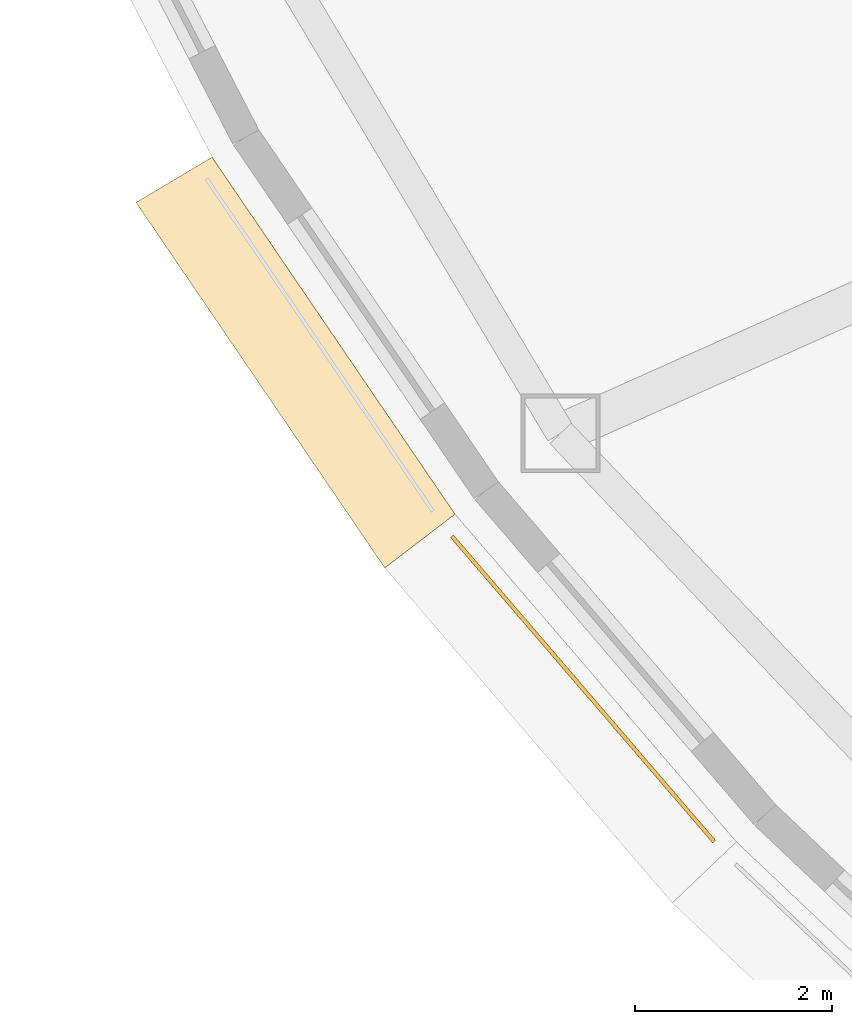
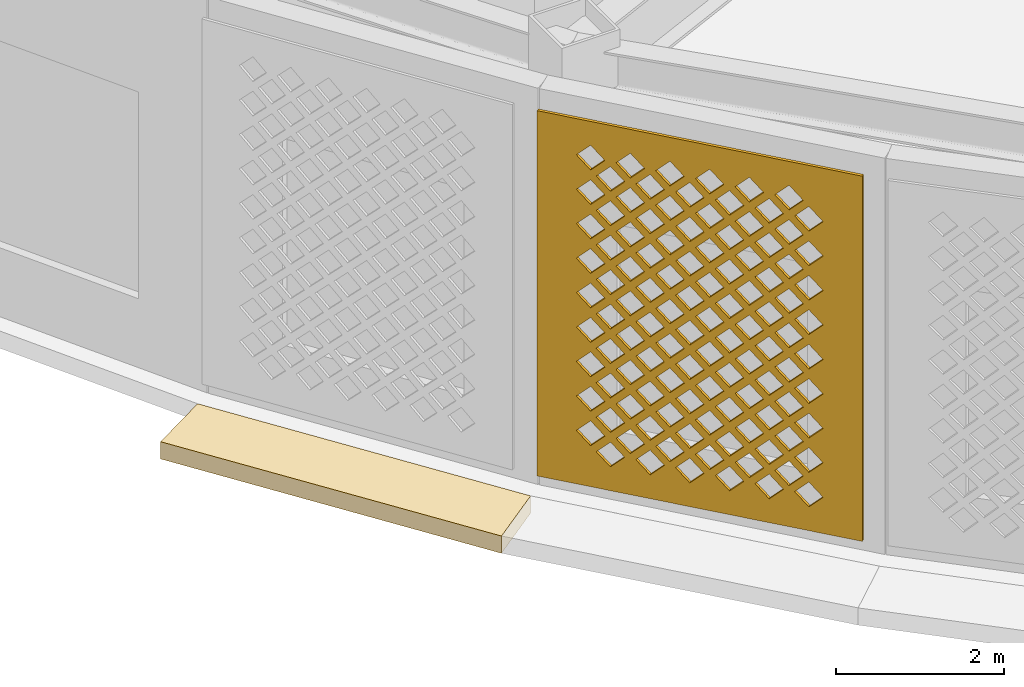
# One storey, part 39 of 74: 2 coverings.
"""IFC4 building model written with IfcOpenShell, lengths in metres."""

from ifc_helpers import new_model, si_unit, direction, frame, origin, place, context, subcontext, project, spatial, polyline, outline, extrude, material, layer, layer_set, type_object, element, save


model = new_model("IFC4")

# Units and contexts
model_context = context("Model", 3, precision=1e-05, world=origin(), true_north=direction((0.0, 1.0)))
body_context = subcontext(model_context, "Body", "Model", "MODEL_VIEW")
ifc_project = project(units=[si_unit("LENGTHUNIT", "METRE"), si_unit("AREAUNIT", "SQUARE_METRE"), si_unit("VOLUMEUNIT", "CUBIC_METRE"), si_unit("PLANEANGLEUNIT", "RADIAN"), si_unit("MASSUNIT", "GRAM", prefix="KILO")], contexts=[model_context])

# Site, building, storey
site_placement = place(None, origin())
site = spatial("IfcSite", under=ifc_project, at=site_placement, CompositionType="ELEMENT")
building_placement = place(site_placement, origin())
building = spatial("IfcBuilding", under=site, at=building_placement, Name="Noorbagh Ring Tower", CompositionType="ELEMENT")
storey_placement = place(building_placement, frame((0.0, 0.0, 13.5)))
storey = spatial("IfcBuildingStorey", under=building, at=storey_placement, Name="L02", CompositionType="ELEMENT", Elevation=13.5)

# Coverings
ifc_material_1 = material(Name="Red sandstone eave", Category="masonry")
covering_type_1 = type_object("IfcCoveringType", Name="STY-CHHAJJA", PredefinedType="USERDEFINED", material=ifc_material_1)
covering_1_placement = place(storey_placement, frame((0.0, 0.0, -0.25)))
element("IfcCovering", 1, at=covering_1_placement, inside=storey, type_object=covering_type_1, Name="Chhajja eave", ObjectType="CHHAJJA", PredefinedType="USERDEFINED", context=body_context, shape_type="SweptSolid", body=[
    extrude(outline(polyline([(-47.2431640625, -16.71337890625), (-44.77001953125, -20.346923828125), (-45.485595703125, -20.89501953125), (-48.017578125, -17.175048828125), (-47.2431640625, -16.71337890625)])), origin(), (0.0, 0.0, 1.0), 0.25),
])
ifc_material_2 = material(Name="Red sandstone jali", Category="masonry")
ifc_layer = layer(ifc_material_2, 0.0400390625)
ifc_layer_set = layer_set([ifc_layer], Name="Red sandstone jali")
covering_type_2 = type_object("IfcCoveringType", Name="STY-JALI", PredefinedType="USERDEFINED", material=ifc_layer_set)
covering_2_placement = place(storey_placement, frame((-44.81640625, -20.584716796875, 0.449951171875), z_axis=(-0.758717747284, -0.651419511495, 0.0), x_axis=(0.651419511495, -0.758717747284, 0.0)))
element("IfcCovering", 2, at=covering_2_placement, inside=storey, type_object=covering_type_2, Name="Jali screen", ObjectType="SCREEN", PredefinedType="USERDEFINED", context=body_context, shape_type="SweptSolid", body=[
    extrude(outline(polyline([(0.0, 0.0), (4.095703125, 0.0), (4.095703125, 5.300048828125), (0.0, 5.300048828125), (0.0, 0.0)]), holes=[polyline([(0.742919921875, 0.52490234375), (0.9228515625, 0.344970703125), (1.102783203125, 0.52490234375), (0.9228515625, 0.705078125), (0.742919921875, 0.52490234375)]), polyline([(1.242919921875, 0.52490234375), (1.4228515625, 0.344970703125), (1.602783203125, 0.52490234375), (1.4228515625, 0.705078125), (1.242919921875, 0.52490234375)]), polyline([(1.742919921875, 0.52490234375), (1.9228515625, 0.344970703125), (2.102783203125, 0.52490234375), (1.9228515625, 0.705078125), (1.742919921875, 0.52490234375)]), polyline([(2.242919921875, 0.52490234375), (2.4228515625, 0.344970703125), (2.602783203125, 0.52490234375), (2.4228515625, 0.705078125), (2.242919921875, 0.52490234375)]), polyline([(2.742919921875, 0.52490234375), (2.9228515625, 0.344970703125), (3.102783203125, 0.52490234375), (2.9228515625, 0.705078125), (2.742919921875, 0.52490234375)]), polyline([(3.242919921875, 0.52490234375), (3.4228515625, 0.344970703125), (3.602783203125, 0.52490234375), (3.4228515625, 0.705078125), (3.242919921875, 0.52490234375)]), polyline([(0.492919921875, 0.77490234375), (0.6728515625, 0.594970703125), (0.852783203125, 0.77490234375), (0.6728515625, 0.955078125), (0.492919921875, 0.77490234375)]), polyline([(0.992919921875, 0.77490234375), (1.1728515625, 0.594970703125), (1.352783203125, 0.77490234375), (1.1728515625, 0.955078125), (0.992919921875, 0.77490234375)]), polyline([(1.492919921875, 0.77490234375), (1.6728515625, 0.594970703125), (1.852783203125, 0.77490234375), (1.6728515625, 0.955078125), (1.492919921875, 0.77490234375)]), polyline([(1.992919921875, 0.77490234375), (2.1728515625, 0.594970703125), (2.352783203125, 0.77490234375), (2.1728515625, 0.955078125), (1.992919921875, 0.77490234375)]), polyline([(2.492919921875, 0.77490234375), (2.6728515625, 0.594970703125), (2.852783203125, 0.77490234375), (2.6728515625, 0.955078125), (2.492919921875, 0.77490234375)]), polyline([(2.992919921875, 0.77490234375), (3.1728515625, 0.594970703125), (3.352783203125, 0.77490234375), (3.1728515625, 0.955078125), (2.992919921875, 0.77490234375)]), polyline([(0.742919921875, 1.02490234375), (0.9228515625, 0.844970703125), (1.102783203125, 1.02490234375), (0.9228515625, 1.205078125), (0.742919921875, 1.02490234375)]), polyline([(1.242919921875, 1.02490234375), (1.4228515625, 0.844970703125), (1.602783203125, 1.02490234375), (1.4228515625, 1.205078125), (1.242919921875, 1.02490234375)]), polyline([(1.742919921875, 1.02490234375), (1.9228515625, 0.844970703125), (2.102783203125, 1.02490234375), (1.9228515625, 1.205078125), (1.742919921875, 1.02490234375)]), polyline([(2.242919921875, 1.02490234375), (2.4228515625, 0.844970703125), (2.602783203125, 1.02490234375), (2.4228515625, 1.205078125), (2.242919921875, 1.02490234375)]), polyline([(2.742919921875, 1.02490234375), (2.9228515625, 0.844970703125), (3.102783203125, 1.02490234375), (2.9228515625, 1.205078125), (2.742919921875, 1.02490234375)]), polyline([(3.242919921875, 1.02490234375), (3.4228515625, 0.844970703125), (3.602783203125, 1.02490234375), (3.4228515625, 1.205078125), (3.242919921875, 1.02490234375)]), polyline([(0.492919921875, 1.27490234375), (0.6728515625, 1.094970703125), (0.852783203125, 1.27490234375), (0.6728515625, 1.455078125), (0.492919921875, 1.27490234375)]), polyline([(0.992919921875, 1.27490234375), (1.1728515625, 1.094970703125), (1.352783203125, 1.27490234375), (1.1728515625, 1.455078125), (0.992919921875, 1.27490234375)]), polyline([(1.492919921875, 1.27490234375), (1.6728515625, 1.094970703125), (1.852783203125, 1.27490234375), (1.6728515625, 1.455078125), (1.492919921875, 1.27490234375)]), polyline([(1.992919921875, 1.27490234375), (2.1728515625, 1.094970703125), (2.352783203125, 1.27490234375), (2.1728515625, 1.455078125), (1.992919921875, 1.27490234375)]), polyline([(2.492919921875, 1.27490234375), (2.6728515625, 1.094970703125), (2.852783203125, 1.27490234375), (2.6728515625, 1.455078125), (2.492919921875, 1.27490234375)]), polyline([(2.992919921875, 1.27490234375), (3.1728515625, 1.094970703125), (3.352783203125, 1.27490234375), (3.1728515625, 1.455078125), (2.992919921875, 1.27490234375)]), polyline([(0.742919921875, 1.52490234375), (0.9228515625, 1.344970703125), (1.102783203125, 1.52490234375), (0.9228515625, 1.705078125), (0.742919921875, 1.52490234375)]), polyline([(1.242919921875, 1.52490234375), (1.4228515625, 1.344970703125), (1.602783203125, 1.52490234375), (1.4228515625, 1.705078125), (1.242919921875, 1.52490234375)]), polyline([(1.742919921875, 1.52490234375), (1.9228515625, 1.344970703125), (2.102783203125, 1.52490234375), (1.9228515625, 1.705078125), (1.742919921875, 1.52490234375)]), polyline([(2.242919921875, 1.52490234375), (2.4228515625, 1.344970703125), (2.602783203125, 1.52490234375), (2.4228515625, 1.705078125), (2.242919921875, 1.52490234375)]), polyline([(2.742919921875, 1.52490234375), (2.9228515625, 1.344970703125), (3.102783203125, 1.52490234375), (2.9228515625, 1.705078125), (2.742919921875, 1.52490234375)]), polyline([(3.242919921875, 1.52490234375), (3.4228515625, 1.344970703125), (3.602783203125, 1.52490234375), (3.4228515625, 1.705078125), (3.242919921875, 1.52490234375)]), polyline([(0.492919921875, 1.77490234375), (0.6728515625, 1.594970703125), (0.852783203125, 1.77490234375), (0.6728515625, 1.955078125), (0.492919921875, 1.77490234375)]), polyline([(0.992919921875, 1.77490234375), (1.1728515625, 1.594970703125), (1.352783203125, 1.77490234375), (1.1728515625, 1.955078125), (0.992919921875, 1.77490234375)]), polyline([(1.492919921875, 1.77490234375), (1.6728515625, 1.594970703125), (1.852783203125, 1.77490234375), (1.6728515625, 1.955078125), (1.492919921875, 1.77490234375)]), polyline([(1.992919921875, 1.77490234375), (2.1728515625, 1.594970703125), (2.352783203125, 1.77490234375), (2.1728515625, 1.955078125), (1.992919921875, 1.77490234375)]), polyline([(2.492919921875, 1.77490234375), (2.6728515625, 1.594970703125), (2.852783203125, 1.77490234375), (2.6728515625, 1.955078125), (2.492919921875, 1.77490234375)]), polyline([(2.992919921875, 1.77490234375), (3.1728515625, 1.594970703125), (3.352783203125, 1.77490234375), (3.1728515625, 1.955078125), (2.992919921875, 1.77490234375)]), polyline([(0.742919921875, 2.02490234375), (0.9228515625, 1.844970703125), (1.102783203125, 2.02490234375), (0.9228515625, 2.205078125), (0.742919921875, 2.02490234375)]), polyline([(1.242919921875, 2.02490234375), (1.4228515625, 1.844970703125), (1.602783203125, 2.02490234375), (1.4228515625, 2.205078125), (1.242919921875, 2.02490234375)]), polyline([(1.742919921875, 2.02490234375), (1.9228515625, 1.844970703125), (2.102783203125, 2.02490234375), (1.9228515625, 2.205078125), (1.742919921875, 2.02490234375)]), polyline([(2.242919921875, 2.02490234375), (2.4228515625, 1.844970703125), (2.602783203125, 2.02490234375), (2.4228515625, 2.205078125), (2.242919921875, 2.02490234375)]), polyline([(2.742919921875, 2.02490234375), (2.9228515625, 1.844970703125), (3.102783203125, 2.02490234375), (2.9228515625, 2.205078125), (2.742919921875, 2.02490234375)]), polyline([(3.242919921875, 2.02490234375), (3.4228515625, 1.844970703125), (3.602783203125, 2.02490234375), (3.4228515625, 2.205078125), (3.242919921875, 2.02490234375)]), polyline([(0.492919921875, 2.27490234375), (0.6728515625, 2.094970703125), (0.852783203125, 2.27490234375), (0.6728515625, 2.455078125), (0.492919921875, 2.27490234375)]), polyline([(0.992919921875, 2.27490234375), (1.1728515625, 2.094970703125), (1.352783203125, 2.27490234375), (1.1728515625, 2.455078125), (0.992919921875, 2.27490234375)]), polyline([(1.492919921875, 2.27490234375), (1.6728515625, 2.094970703125), (1.852783203125, 2.27490234375), (1.6728515625, 2.455078125), (1.492919921875, 2.27490234375)]), polyline([(1.992919921875, 2.27490234375), (2.1728515625, 2.094970703125), (2.352783203125, 2.27490234375), (2.1728515625, 2.455078125), (1.992919921875, 2.27490234375)]), polyline([(2.492919921875, 2.27490234375), (2.6728515625, 2.094970703125), (2.852783203125, 2.27490234375), (2.6728515625, 2.455078125), (2.492919921875, 2.27490234375)]), polyline([(2.992919921875, 2.27490234375), (3.1728515625, 2.094970703125), (3.352783203125, 2.27490234375), (3.1728515625, 2.455078125), (2.992919921875, 2.27490234375)]), polyline([(0.742919921875, 2.52490234375), (0.9228515625, 2.344970703125), (1.102783203125, 2.52490234375), (0.9228515625, 2.705078125), (0.742919921875, 2.52490234375)]), polyline([(1.242919921875, 2.52490234375), (1.4228515625, 2.344970703125), (1.602783203125, 2.52490234375), (1.4228515625, 2.705078125), (1.242919921875, 2.52490234375)]), polyline([(1.742919921875, 2.52490234375), (1.9228515625, 2.344970703125), (2.102783203125, 2.52490234375), (1.9228515625, 2.705078125), (1.742919921875, 2.52490234375)]), polyline([(2.242919921875, 2.52490234375), (2.4228515625, 2.344970703125), (2.602783203125, 2.52490234375), (2.4228515625, 2.705078125), (2.242919921875, 2.52490234375)]), polyline([(2.742919921875, 2.52490234375), (2.9228515625, 2.344970703125), (3.102783203125, 2.52490234375), (2.9228515625, 2.705078125), (2.742919921875, 2.52490234375)]), polyline([(3.242919921875, 2.52490234375), (3.4228515625, 2.344970703125), (3.602783203125, 2.52490234375), (3.4228515625, 2.705078125), (3.242919921875, 2.52490234375)]), polyline([(0.492919921875, 2.77490234375), (0.6728515625, 2.594970703125), (0.852783203125, 2.77490234375), (0.6728515625, 2.955078125), (0.492919921875, 2.77490234375)]), polyline([(0.992919921875, 2.77490234375), (1.1728515625, 2.594970703125), (1.352783203125, 2.77490234375), (1.1728515625, 2.955078125), (0.992919921875, 2.77490234375)]), polyline([(1.492919921875, 2.77490234375), (1.6728515625, 2.594970703125), (1.852783203125, 2.77490234375), (1.6728515625, 2.955078125), (1.492919921875, 2.77490234375)]), polyline([(1.992919921875, 2.77490234375), (2.1728515625, 2.594970703125), (2.352783203125, 2.77490234375), (2.1728515625, 2.955078125), (1.992919921875, 2.77490234375)]), polyline([(2.492919921875, 2.77490234375), (2.6728515625, 2.594970703125), (2.852783203125, 2.77490234375), (2.6728515625, 2.955078125), (2.492919921875, 2.77490234375)]), polyline([(2.992919921875, 2.77490234375), (3.1728515625, 2.594970703125), (3.352783203125, 2.77490234375), (3.1728515625, 2.955078125), (2.992919921875, 2.77490234375)]), polyline([(0.742919921875, 3.02490234375), (0.9228515625, 2.844970703125), (1.102783203125, 3.02490234375), (0.9228515625, 3.205078125), (0.742919921875, 3.02490234375)]), polyline([(1.242919921875, 3.02490234375), (1.4228515625, 2.844970703125), (1.602783203125, 3.02490234375), (1.4228515625, 3.205078125), (1.242919921875, 3.02490234375)]), polyline([(1.742919921875, 3.02490234375), (1.9228515625, 2.844970703125), (2.102783203125, 3.02490234375), (1.9228515625, 3.205078125), (1.742919921875, 3.02490234375)]), polyline([(2.242919921875, 3.02490234375), (2.4228515625, 2.844970703125), (2.602783203125, 3.02490234375), (2.4228515625, 3.205078125), (2.242919921875, 3.02490234375)]), polyline([(2.742919921875, 3.02490234375), (2.9228515625, 2.844970703125), (3.102783203125, 3.02490234375), (2.9228515625, 3.205078125), (2.742919921875, 3.02490234375)]), polyline([(3.242919921875, 3.02490234375), (3.4228515625, 2.844970703125), (3.602783203125, 3.02490234375), (3.4228515625, 3.205078125), (3.242919921875, 3.02490234375)]), polyline([(0.492919921875, 3.27490234375), (0.6728515625, 3.094970703125), (0.852783203125, 3.27490234375), (0.6728515625, 3.455078125), (0.492919921875, 3.27490234375)]), polyline([(0.992919921875, 3.27490234375), (1.1728515625, 3.094970703125), (1.352783203125, 3.27490234375), (1.1728515625, 3.455078125), (0.992919921875, 3.27490234375)]), polyline([(1.492919921875, 3.27490234375), (1.6728515625, 3.094970703125), (1.852783203125, 3.27490234375), (1.6728515625, 3.455078125), (1.492919921875, 3.27490234375)]), polyline([(1.992919921875, 3.27490234375), (2.1728515625, 3.094970703125), (2.352783203125, 3.27490234375), (2.1728515625, 3.455078125), (1.992919921875, 3.27490234375)]), polyline([(2.492919921875, 3.27490234375), (2.6728515625, 3.094970703125), (2.852783203125, 3.27490234375), (2.6728515625, 3.455078125), (2.492919921875, 3.27490234375)]), polyline([(2.992919921875, 3.27490234375), (3.1728515625, 3.094970703125), (3.352783203125, 3.27490234375), (3.1728515625, 3.455078125), (2.992919921875, 3.27490234375)]), polyline([(0.742919921875, 3.52490234375), (0.9228515625, 3.344970703125), (1.102783203125, 3.52490234375), (0.9228515625, 3.705078125), (0.742919921875, 3.52490234375)]), polyline([(1.242919921875, 3.52490234375), (1.4228515625, 3.344970703125), (1.602783203125, 3.52490234375), (1.4228515625, 3.705078125), (1.242919921875, 3.52490234375)]), polyline([(1.742919921875, 3.52490234375), (1.9228515625, 3.344970703125), (2.102783203125, 3.52490234375), (1.9228515625, 3.705078125), (1.742919921875, 3.52490234375)]), polyline([(2.242919921875, 3.52490234375), (2.4228515625, 3.344970703125), (2.602783203125, 3.52490234375), (2.4228515625, 3.705078125), (2.242919921875, 3.52490234375)]), polyline([(2.742919921875, 3.52490234375), (2.9228515625, 3.344970703125), (3.102783203125, 3.52490234375), (2.9228515625, 3.705078125), (2.742919921875, 3.52490234375)]), polyline([(3.242919921875, 3.52490234375), (3.4228515625, 3.344970703125), (3.602783203125, 3.52490234375), (3.4228515625, 3.705078125), (3.242919921875, 3.52490234375)]), polyline([(0.492919921875, 3.77490234375), (0.6728515625, 3.594970703125), (0.852783203125, 3.77490234375), (0.6728515625, 3.955078125), (0.492919921875, 3.77490234375)]), polyline([(0.992919921875, 3.77490234375), (1.1728515625, 3.594970703125), (1.352783203125, 3.77490234375), (1.1728515625, 3.955078125), (0.992919921875, 3.77490234375)]), polyline([(1.492919921875, 3.77490234375), (1.6728515625, 3.594970703125), (1.852783203125, 3.77490234375), (1.6728515625, 3.955078125), (1.492919921875, 3.77490234375)]), polyline([(1.992919921875, 3.77490234375), (2.1728515625, 3.594970703125), (2.352783203125, 3.77490234375), (2.1728515625, 3.955078125), (1.992919921875, 3.77490234375)]), polyline([(2.492919921875, 3.77490234375), (2.6728515625, 3.594970703125), (2.852783203125, 3.77490234375), (2.6728515625, 3.955078125), (2.492919921875, 3.77490234375)]), polyline([(2.992919921875, 3.77490234375), (3.1728515625, 3.594970703125), (3.352783203125, 3.77490234375), (3.1728515625, 3.955078125), (2.992919921875, 3.77490234375)]), polyline([(0.742919921875, 4.02490234375), (0.9228515625, 3.844970703125), (1.102783203125, 4.02490234375), (0.9228515625, 4.205078125), (0.742919921875, 4.02490234375)]), polyline([(1.242919921875, 4.02490234375), (1.4228515625, 3.844970703125), (1.602783203125, 4.02490234375), (1.4228515625, 4.205078125), (1.242919921875, 4.02490234375)]), polyline([(1.742919921875, 4.02490234375), (1.9228515625, 3.844970703125), (2.102783203125, 4.02490234375), (1.9228515625, 4.205078125), (1.742919921875, 4.02490234375)]), polyline([(2.242919921875, 4.02490234375), (2.4228515625, 3.844970703125), (2.602783203125, 4.02490234375), (2.4228515625, 4.205078125), (2.242919921875, 4.02490234375)]), polyline([(2.742919921875, 4.02490234375), (2.9228515625, 3.844970703125), (3.102783203125, 4.02490234375), (2.9228515625, 4.205078125), (2.742919921875, 4.02490234375)]), polyline([(3.242919921875, 4.02490234375), (3.4228515625, 3.844970703125), (3.602783203125, 4.02490234375), (3.4228515625, 4.205078125), (3.242919921875, 4.02490234375)]), polyline([(0.492919921875, 4.27490234375), (0.6728515625, 4.094970703125), (0.852783203125, 4.27490234375), (0.6728515625, 4.455078125), (0.492919921875, 4.27490234375)]), polyline([(0.992919921875, 4.27490234375), (1.1728515625, 4.094970703125), (1.352783203125, 4.27490234375), (1.1728515625, 4.455078125), (0.992919921875, 4.27490234375)]), polyline([(1.492919921875, 4.27490234375), (1.6728515625, 4.094970703125), (1.852783203125, 4.27490234375), (1.6728515625, 4.455078125), (1.492919921875, 4.27490234375)]), polyline([(1.992919921875, 4.27490234375), (2.1728515625, 4.094970703125), (2.352783203125, 4.27490234375), (2.1728515625, 4.455078125), (1.992919921875, 4.27490234375)]), polyline([(2.492919921875, 4.27490234375), (2.6728515625, 4.094970703125), (2.852783203125, 4.27490234375), (2.6728515625, 4.455078125), (2.492919921875, 4.27490234375)]), polyline([(2.992919921875, 4.27490234375), (3.1728515625, 4.094970703125), (3.352783203125, 4.27490234375), (3.1728515625, 4.455078125), (2.992919921875, 4.27490234375)]), polyline([(0.742919921875, 4.52490234375), (0.9228515625, 4.344970703125), (1.102783203125, 4.52490234375), (0.9228515625, 4.705078125), (0.742919921875, 4.52490234375)]), polyline([(1.242919921875, 4.52490234375), (1.4228515625, 4.344970703125), (1.602783203125, 4.52490234375), (1.4228515625, 4.705078125), (1.242919921875, 4.52490234375)]), polyline([(1.742919921875, 4.52490234375), (1.9228515625, 4.344970703125), (2.102783203125, 4.52490234375), (1.9228515625, 4.705078125), (1.742919921875, 4.52490234375)]), polyline([(2.242919921875, 4.52490234375), (2.4228515625, 4.344970703125), (2.602783203125, 4.52490234375), (2.4228515625, 4.705078125), (2.242919921875, 4.52490234375)]), polyline([(2.742919921875, 4.52490234375), (2.9228515625, 4.344970703125), (3.102783203125, 4.52490234375), (2.9228515625, 4.705078125), (2.742919921875, 4.52490234375)]), polyline([(3.242919921875, 4.52490234375), (3.4228515625, 4.344970703125), (3.602783203125, 4.52490234375), (3.4228515625, 4.705078125), (3.242919921875, 4.52490234375)]), polyline([(0.492919921875, 4.77490234375), (0.6728515625, 4.594970703125), (0.852783203125, 4.77490234375), (0.6728515625, 4.955078125), (0.492919921875, 4.77490234375)]), polyline([(0.992919921875, 4.77490234375), (1.1728515625, 4.594970703125), (1.352783203125, 4.77490234375), (1.1728515625, 4.955078125), (0.992919921875, 4.77490234375)]), polyline([(1.492919921875, 4.77490234375), (1.6728515625, 4.594970703125), (1.852783203125, 4.77490234375), (1.6728515625, 4.955078125), (1.492919921875, 4.77490234375)]), polyline([(1.992919921875, 4.77490234375), (2.1728515625, 4.594970703125), (2.352783203125, 4.77490234375), (2.1728515625, 4.955078125), (1.992919921875, 4.77490234375)]), polyline([(2.492919921875, 4.77490234375), (2.6728515625, 4.594970703125), (2.852783203125, 4.77490234375), (2.6728515625, 4.955078125), (2.492919921875, 4.77490234375)]), polyline([(2.992919921875, 4.77490234375), (3.1728515625, 4.594970703125), (3.352783203125, 4.77490234375), (3.1728515625, 4.955078125), (2.992919921875, 4.77490234375)])]), origin(), (0.0, 0.0, -1.0), 0.0400390625),
])

save(model, "model.ifc")
